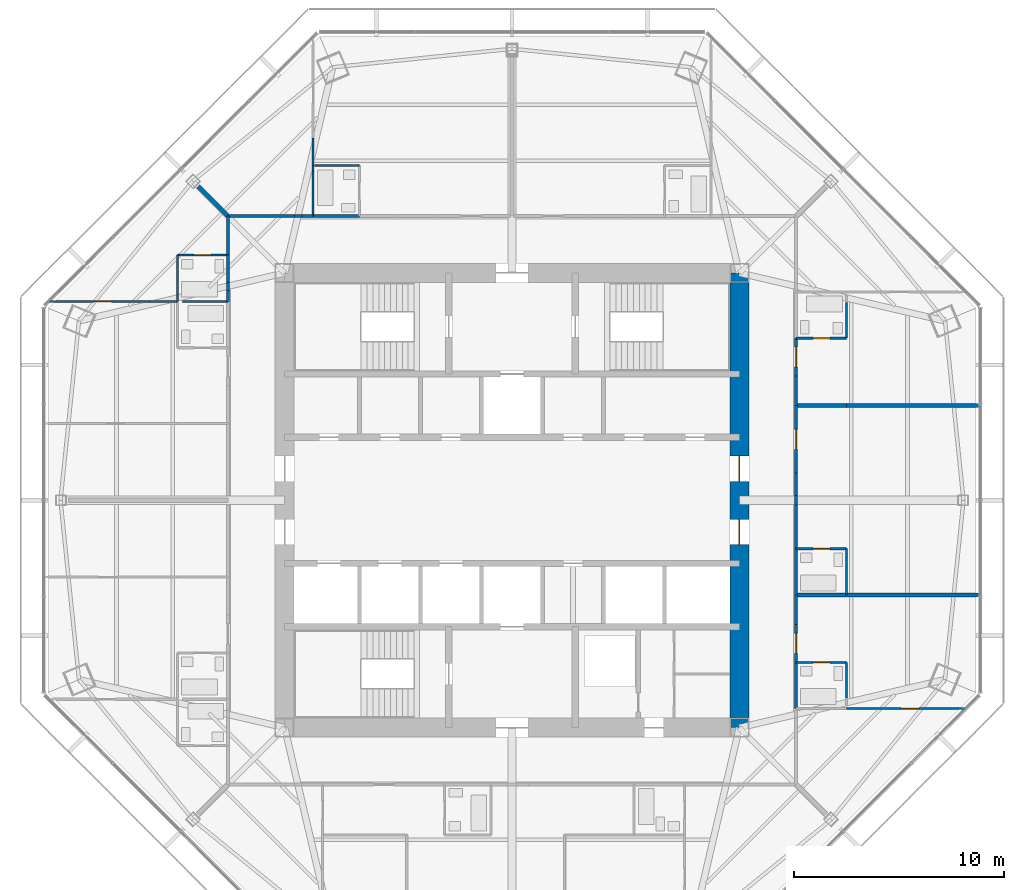
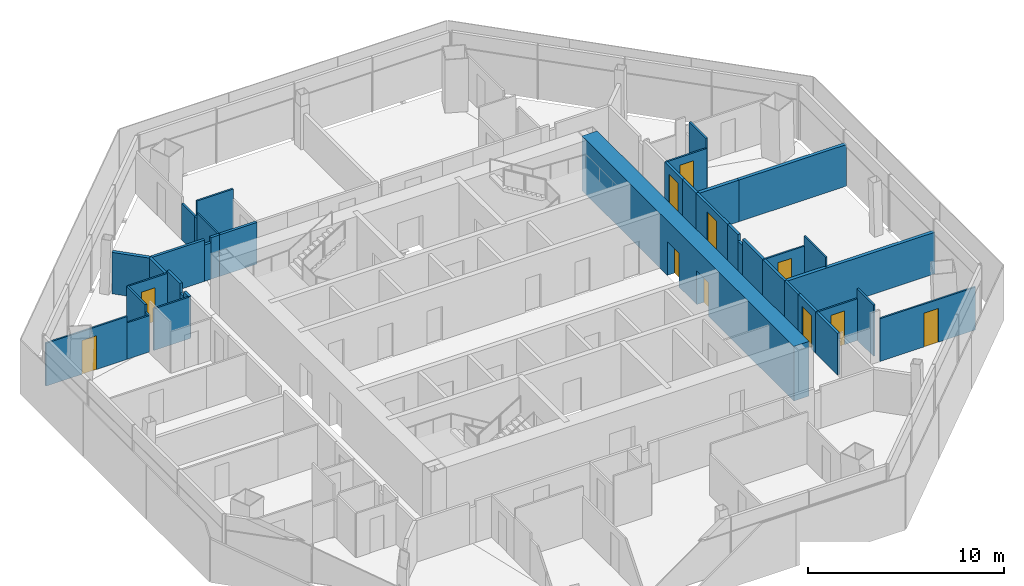
# One storey, part 11 of 15: 40 walls, 11 doors, 11 openings.
"""IFC4 building model written with IfcOpenShell, lengths in metres."""

from ifc_helpers import new_model, si_unit, direction, frame, frame_2d, origin, place, context, subcontext, project, spatial, rectangle, extrude, material, layer, layer_set, type_object, element, fill, save


model = new_model("IFC4")

# Units and contexts
model_context = context("Model", 3, precision=1e-05, world=origin(), true_north=direction((0.0, 1.0)))
body_context = subcontext(model_context, "Body", "Model", "MODEL_VIEW")
ifc_project = project(units=[si_unit("LENGTHUNIT", "METRE"), si_unit("AREAUNIT", "SQUARE_METRE"), si_unit("VOLUMEUNIT", "CUBIC_METRE"), si_unit("PLANEANGLEUNIT", "RADIAN"), si_unit("MASSUNIT", "GRAM", prefix="KILO")], contexts=[model_context])

# Site, building, storey
site_placement = place(None, origin())
site = spatial("IfcSite", under=ifc_project, at=site_placement, CompositionType="ELEMENT")
building_placement = place(site_placement, origin())
building = spatial("IfcBuilding", under=site, at=building_placement, Name="Mashrafa Tower", CompositionType="ELEMENT")
storey_placement = place(building_placement, frame((0.0, 0.0, 204.0)))
storey = spatial("IfcBuildingStorey", under=building, at=storey_placement, Name="L46", CompositionType="ELEMENT", Elevation=204.0)

# Walls
ifc_material_1 = material(Name="Gypsum board on steel studs", Category="steel")
ifc_layer_1 = layer(ifc_material_1, 0.199951171875)
ifc_layer_set_1 = layer_set([ifc_layer_1], Name="Acoustic partition 200 1 hr")
wall_type_1 = type_object("IfcWallType", Name="Acoustic partition 200 1 hr", PredefinedType="PARTITIONING", material=ifc_layer_set_1)
wall_1_placement = place(storey_placement, frame((13.5, -4.5, 0.0), z_axis=(0.0, 0.0, 1.0), x_axis=(1.0, 0.0, 0.0)))
element("IfcWall", 1, at=wall_1_placement, inside=storey, type_object=wall_type_1, Name="Acoustic wall L46-068", PredefinedType="PARTITIONING", context=body_context, shape_type="SweptSolid", body=[
    extrude(rectangle(XDim=8.725830078125, YDim=0.199951171875, at=frame_2d((4.36279296875, 0.0))), origin(), (0.0, 0.0, 1.0), 2.590576171875),
])
wall_2_placement = place(storey_placement, frame((15.90087890625, 4.5, 0.0), z_axis=(0.0, 0.0, 1.0), x_axis=(-1.0, 0.0, 0.0)))
element("IfcWall", 2, at=wall_2_placement, inside=storey, type_object=wall_type_1, Name="Acoustic wall L46-072", PredefinedType="PARTITIONING", context=body_context, shape_type="SweptSolid", body=[
    extrude(rectangle(XDim=2.40087890625, YDim=0.199951171875, at=frame_2d((1.200439453125, 0.0))), origin(), (0.0, 0.0, 1.0), 2.590576171875),
])
wall_3_placement = place(storey_placement, frame((22.225830078125, 4.5, 0.0), z_axis=(0.0, 0.0, 1.0), x_axis=(-1.0, 0.0, 0.0)))
element("IfcWall", 3, at=wall_3_placement, inside=storey, type_object=wall_type_1, Name="Acoustic wall L46-073", PredefinedType="PARTITIONING", context=body_context, shape_type="SweptSolid", body=[
    extrude(rectangle(XDim=6.326904296875, YDim=0.199951171875, at=frame_2d((3.16357421875, 0.0))), origin(), (0.0, 0.0, 1.0), 2.590576171875),
])
wall_4_placement = place(storey_placement, frame((-14.90478515625, 14.90478515625, 0.0), z_axis=(0.0, 0.0, 1.0), x_axis=(0.707106781187, -0.707106781187, 0.0)))
element("IfcWall", 4, at=wall_4_placement, inside=storey, type_object=wall_type_1, Name="Acoustic wall L46-093", PredefinedType="PARTITIONING", context=body_context, shape_type="SweptSolid", body=[
    extrude(rectangle(XDim=1.986572265625, YDim=0.199951171875, at=frame_2d((0.9931640625, 0.0))), origin(), (0.0, 0.0, 1.0), 2.577880859375),
])

# Wall, openings, doors
ifc_material_2 = material(Name="Concrete C50/60", Category="concrete")
ifc_layer_2 = layer(ifc_material_2, 0.89990234375)
ifc_layer_set_2 = layer_set([ifc_layer_2], Name="Core wall 900 C50/60")
wall_type_2 = type_object("IfcWallType", Name="Core wall 900 C50/60", PredefinedType="SOLIDWALL", material=ifc_layer_set_2)
wall_5_placement = place(storey_placement, frame((10.800048828125, -10.800048828125, 0.0), z_axis=(0.0, 0.0, 1.0), x_axis=(0.0, 1.0, 0.0)))
wall_5 = element("IfcWall", 5, at=wall_5_placement, inside=storey, type_object=wall_type_2, Name="Core wall CW-E L46", PredefinedType="SOLIDWALL", context=body_context, shape_type="SweptSolid", body=[
    extrude(rectangle(XDim=21.60009765625, YDim=0.89990234375, at=frame_2d((10.800048828125, 0.0))), origin(), (0.0, 0.0, 1.0), 3.39990234375),
])
opening_1_placement = place(wall_5_placement, frame((11.699951171875, 0.0, 0.0)))
opening_1 = element("IfcOpeningElement", 6, at=opening_1_placement, cuts=wall_5, Name="Opening 46.032", PredefinedType="OPENING", context=body_context, shape_type="SweptSolid", body=[
    extrude(rectangle(XDim=1.199951171875, YDim=2.10009765625, at=frame_2d((0.60009765625, 1.050048828125))), frame((0.0, 0.4599609375, 0.0), z_axis=(0.0, -1.0, 0.0), x_axis=(1.0, 0.0, 0.0)), (0.0, 0.0, 1.0), 0.919921875),
])
opening_2_placement = place(wall_5_placement, frame((8.699951171875, 0.0, 0.0)))
opening_2 = element("IfcOpeningElement", 7, at=opening_2_placement, cuts=wall_5, Name="Opening 46.034", PredefinedType="OPENING", context=body_context, shape_type="SweptSolid", body=[
    extrude(rectangle(XDim=1.199951171875, YDim=2.10009765625, at=frame_2d((0.60009765625, 1.050048828125))), frame((0.0, 0.4599609375, 0.0), z_axis=(0.0, -1.0, 0.0), x_axis=(1.0, 0.0, 0.0)), (0.0, 0.0, 1.0), 0.919921875),
])
ifc_material_3 = material(Name="Steel door", Category="steel")
door_type_1 = type_object("IfcDoorType", Name="Lift hall door 1200 x 2100 90 min", OperationType="USERDEFINED", PredefinedType="DOOR", material=ifc_material_3)
door_1_placement = place(opening_1_placement, frame((1.199951171875, 0.0, 0.0), z_axis=(0.0, 0.0, 1.0), x_axis=(-1.0, 0.0, 0.0)))
door_1 = element("IfcDoor", 8, at=door_1_placement, inside=storey, type_object=door_type_1, Name="Lift hall door east L46", OperationType="SINGLE_SWING_LEFT", OverallHeight=2.10009765625, OverallWidth=1.199951171875, PredefinedType="DOOR", context=body_context, shape_type="SweptSolid", body=[
    extrude(rectangle(XDim=1.199951171875, YDim=2.10009765625, at=frame_2d((0.60009765625, 1.050048828125))), frame((0.0, 0.02490234375, 0.0), z_axis=(0.0, -1.0, 0.0), x_axis=(1.0, 0.0, 0.0)), (0.0, 0.0, 1.0), 0.050048828125),
])
fill(opening_1, door_1)
door_2_placement = place(opening_2_placement, frame((1.199951171875, 0.0, 0.0), z_axis=(0.0, 0.0, 1.0), x_axis=(-1.0, 0.0, 0.0)))
door_2 = element("IfcDoor", 9, at=door_2_placement, inside=storey, type_object=door_type_1, Name="Lift hall door east L46", OperationType="SINGLE_SWING_RIGHT", OverallHeight=2.10009765625, OverallWidth=1.199951171875, PredefinedType="DOOR", context=body_context, shape_type="SweptSolid", body=[
    extrude(rectangle(XDim=1.199951171875, YDim=2.10009765625, at=frame_2d((0.60009765625, 1.050048828125))), frame((0.0, 0.02490234375, 0.0), z_axis=(0.0, -1.0, 0.0), x_axis=(1.0, 0.0, 0.0)), (0.0, 0.0, 1.0), 0.050048828125),
])
fill(opening_2, door_2)

# Walls
ifc_material_4 = material(Name="Gypsum board on steel studs", Category="steel")
ifc_layer_3 = layer(ifc_material_4, 0.14990234375)
ifc_layer_set_3 = layer_set([ifc_layer_3], Name="Corridor partition 150 1 hr")
wall_type_3 = type_object("IfcWallType", Name="Corridor partition 150 1 hr", PredefinedType="PARTITIONING", material=ifc_layer_set_3)
wall_6_placement = place(storey_placement, frame((13.5, -9.90087890625, 0.0), z_axis=(0.0, 0.0, 1.0), x_axis=(0.0, 1.0, 0.0)))
element("IfcWall", 10, at=wall_6_placement, inside=storey, type_object=wall_type_3, Name="Corridor wall L46-003", PredefinedType="PARTITIONING", context=body_context, shape_type="SweptSolid", body=[
    extrude(rectangle(XDim=2.201904296875, YDim=0.14990234375, at=frame_2d((1.10107421875, 0.0))), origin(), (0.0, 0.0, 1.0), 2.590576171875),
])
wall_7_placement = place(storey_placement, frame((13.5, -5.90087890625, 0.0), z_axis=(0.0, 0.0, 1.0), x_axis=(0.0, 1.0, 0.0)))
element("IfcWall", 11, at=wall_7_placement, inside=storey, type_object=wall_type_3, Name="Corridor wall L46-004", PredefinedType="PARTITIONING", context=body_context, shape_type="SweptSolid", body=[
    extrude(rectangle(XDim=1.40185546875, YDim=0.14990234375, at=frame_2d((0.700927734375, 0.0))), origin(), (0.0, 0.0, 1.0), 2.590576171875),
])

# Wall, opening, door
wall_8_placement = place(storey_placement, frame((13.5, -7.700927734375, 0.0), z_axis=(0.0, 0.0, 1.0), x_axis=(0.0, 1.0, 0.0)))
wall_8 = element("IfcWall", 12, at=wall_8_placement, inside=storey, type_object=wall_type_3, Name="Corridor wall L46-005", PredefinedType="PARTITIONING", context=body_context, shape_type="SweptSolid", body=[
    extrude(rectangle(XDim=1.802001953125, YDim=0.14990234375, at=frame_2d((0.90087890625, 0.0))), origin(), (0.0, 0.0, 1.0), 2.590576171875),
])
opening_3_placement = place(wall_8_placement, frame((0.426025390625, 0.0, 0.0)))
opening_3 = element("IfcOpeningElement", 13, at=opening_3_placement, cuts=wall_8, Name="Opening 46.003", PredefinedType="OPENING", context=body_context, shape_type="SweptSolid", body=[
    extrude(rectangle(XDim=0.949951171875, YDim=2.10009765625, at=frame_2d((0.47509765625, 1.050048828125))), frame((0.0, 0.0849609375, 0.0), z_axis=(0.0, -1.0, 0.0), x_axis=(1.0, 0.0, 0.0)), (0.0, 0.0, 1.0), 0.169921875),
])
ifc_material_5 = material(Name="Steel door", Category="steel")
door_type_2 = type_object("IfcDoorType", Name="Residence entrance door 950 x 2100 20 min", OperationType="USERDEFINED", PredefinedType="DOOR", material=ifc_material_5)
door_3_placement = place(opening_3_placement, frame((0.949951171875, 0.0, 0.0), z_axis=(0.0, 0.0, 1.0), x_axis=(-1.0, 0.0, 0.0)))
door_3 = element("IfcDoor", 14, at=door_3_placement, inside=storey, type_object=door_type_2, Name="Apartment 4601 Living Room door", OperationType="SINGLE_SWING_LEFT", OverallHeight=2.10009765625, OverallWidth=0.949951171875, PredefinedType="DOOR", context=body_context, shape_type="SweptSolid", body=[
    extrude(rectangle(XDim=0.949951171875, YDim=2.10009765625, at=frame_2d((0.47509765625, 1.050048828125))), frame((0.0, 0.02490234375, 0.0), z_axis=(0.0, -1.0, 0.0), x_axis=(1.0, 0.0, 0.0)), (0.0, 0.0, 1.0), 0.050048828125),
])
fill(opening_3, door_3)

# Walls
wall_9_placement = place(storey_placement, frame((13.5, -4.5009765625, 0.0), z_axis=(0.0, 0.0, 1.0), x_axis=(0.0, 1.0, 0.0)))
element("IfcWall", 15, at=wall_9_placement, inside=storey, type_object=wall_type_3, Name="Corridor wall L46-006", PredefinedType="PARTITIONING", context=body_context, shape_type="SweptSolid", body=[
    extrude(rectangle(XDim=2.201904296875, YDim=0.14990234375, at=frame_2d((1.10107421875, 0.0))), origin(), (0.0, 0.0, 1.0), 2.590576171875),
])
wall_10_placement = place(storey_placement, frame((13.5, -0.230712890625, 0.0), z_axis=(0.0, 0.0, 1.0), x_axis=(0.0, -1.0, 0.0)))
element("IfcWall", 16, at=wall_10_placement, inside=storey, type_object=wall_type_3, Name="Corridor wall L46-007", PredefinedType="PARTITIONING", context=body_context, shape_type="SweptSolid", body=[
    extrude(rectangle(XDim=2.0703125, YDim=0.14990234375, at=frame_2d((1.03515625, 0.0))), origin(), (0.0, 0.0, 1.0), 2.590576171875),
])
wall_11_placement = place(storey_placement, frame((13.5, 0.230712890625, 0.0), z_axis=(0.0, 0.0, 1.0), x_axis=(0.0, 1.0, 0.0)))
element("IfcWall", 17, at=wall_11_placement, inside=storey, type_object=wall_type_3, Name="Corridor wall L46-008", PredefinedType="PARTITIONING", context=body_context, shape_type="SweptSolid", body=[
    extrude(rectangle(XDim=1.0703125, YDim=0.14990234375, at=frame_2d((0.53515625, 0.0))), origin(), (0.0, 0.0, 1.0), 2.590576171875),
])
wall_12_placement = place(storey_placement, frame((13.5, -0.230712890625, 0.0), z_axis=(0.0, 0.0, 1.0), x_axis=(0.0, 1.0, 0.0)))
element("IfcWall", 18, at=wall_12_placement, inside=storey, type_object=wall_type_3, Name="Corridor wall L46-009", PredefinedType="PARTITIONING", context=body_context, shape_type="SweptSolid", body=[
    extrude(rectangle(XDim=0.46142578125, YDim=0.14990234375, at=frame_2d((0.230712890625, 0.0))), origin(), (0.0, 0.0, 1.0), 2.197021484375),
])

# Wall, opening, door
wall_13_placement = place(storey_placement, frame((13.5, 1.299072265625, 0.0), z_axis=(0.0, 0.0, 1.0), x_axis=(0.0, 1.0, 0.0)))
wall_13 = element("IfcWall", 19, at=wall_13_placement, inside=storey, type_object=wall_type_3, Name="Corridor wall L46-011", PredefinedType="PARTITIONING", context=body_context, shape_type="SweptSolid", body=[
    extrude(rectangle(XDim=3.201904296875, YDim=0.14990234375, at=frame_2d((1.60107421875, 0.0))), origin(), (0.0, 0.0, 1.0), 2.590576171875),
])
opening_4_placement = place(wall_13_placement, frame((1.1259765625, 0.0, 0.0)))
opening_4 = element("IfcOpeningElement", 20, at=opening_4_placement, cuts=wall_13, Name="Opening 46.005", PredefinedType="OPENING", context=body_context, shape_type="SweptSolid", body=[
    extrude(rectangle(XDim=0.949951171875, YDim=2.10009765625, at=frame_2d((0.47509765625, 1.050048828125))), frame((0.0, 0.0849609375, 0.0), z_axis=(0.0, -1.0, 0.0), x_axis=(1.0, 0.0, 0.0)), (0.0, 0.0, 1.0), 0.169921875),
])
door_4_placement = place(opening_4_placement, frame((0.949951171875, 0.0, 0.0), z_axis=(0.0, 0.0, 1.0), x_axis=(-1.0, 0.0, 0.0)))
door_4 = element("IfcDoor", 21, at=door_4_placement, inside=storey, type_object=door_type_2, Name="Apartment 4602 Studio Living Room door", OperationType="SINGLE_SWING_LEFT", OverallHeight=2.10009765625, OverallWidth=0.949951171875, PredefinedType="DOOR", context=body_context, shape_type="SweptSolid", body=[
    extrude(rectangle(XDim=0.949951171875, YDim=2.10009765625, at=frame_2d((0.47509765625, 1.050048828125))), frame((0.0, 0.02490234375, 0.0), z_axis=(0.0, -1.0, 0.0), x_axis=(1.0, 0.0, 0.0)), (0.0, 0.0, 1.0), 0.050048828125),
])
fill(opening_4, door_4)

# Wall
wall_14_placement = place(storey_placement, frame((13.5, 4.4990234375, 0.0), z_axis=(0.0, 0.0, 1.0), x_axis=(0.0, 1.0, 0.0)))
element("IfcWall", 22, at=wall_14_placement, inside=storey, type_object=wall_type_3, Name="Corridor wall L46-015", PredefinedType="PARTITIONING", context=body_context, shape_type="SweptSolid", body=[
    extrude(rectangle(XDim=1.40185546875, YDim=0.14990234375, at=frame_2d((0.700927734375, 0.0))), origin(), (0.0, 0.0, 1.0), 2.590576171875),
])

# Wall, opening, door
wall_15_placement = place(storey_placement, frame((13.5, 5.89892578125, 0.0), z_axis=(0.0, 0.0, 1.0), x_axis=(0.0, 1.0, 0.0)))
wall_15 = element("IfcWall", 23, at=wall_15_placement, inside=storey, type_object=wall_type_3, Name="Corridor wall L46-016", PredefinedType="PARTITIONING", context=body_context, shape_type="SweptSolid", body=[
    extrude(rectangle(XDim=1.802001953125, YDim=0.14990234375, at=frame_2d((0.90087890625, 0.0))), origin(), (0.0, 0.0, 1.0), 2.590576171875),
])
opening_5_placement = place(wall_15_placement, frame((0.426025390625, 0.0, 0.0)))
opening_5 = element("IfcOpeningElement", 24, at=opening_5_placement, cuts=wall_15, Name="Opening 46.008", PredefinedType="OPENING", context=body_context, shape_type="SweptSolid", body=[
    extrude(rectangle(XDim=0.949951171875, YDim=2.10009765625, at=frame_2d((0.47509765625, 1.050048828125))), frame((0.0, 0.0849609375, 0.0), z_axis=(0.0, -1.0, 0.0), x_axis=(1.0, 0.0, 0.0)), (0.0, 0.0, 1.0), 0.169921875),
])
door_5_placement = place(opening_5_placement, frame((0.949951171875, 0.0, 0.0), z_axis=(0.0, 0.0, 1.0), x_axis=(-1.0, 0.0, 0.0)))
door_5 = element("IfcDoor", 25, at=door_5_placement, inside=storey, type_object=door_type_2, Name="Apartment 4603 Living Room door", OperationType="SINGLE_SWING_RIGHT", OverallHeight=2.10009765625, OverallWidth=0.949951171875, PredefinedType="DOOR", context=body_context, shape_type="SweptSolid", body=[
    extrude(rectangle(XDim=0.949951171875, YDim=2.10009765625, at=frame_2d((0.47509765625, 1.050048828125))), frame((0.0, 0.02490234375, 0.0), z_axis=(0.0, -1.0, 0.0), x_axis=(1.0, 0.0, 0.0)), (0.0, 0.0, 1.0), 0.050048828125),
])
fill(opening_5, door_5)

# Walls
wall_16_placement = place(storey_placement, frame((-9.448974609375, 13.5, 0.0), z_axis=(0.0, 0.0, 1.0), x_axis=(-1.0, 0.0, 0.0)))
element("IfcWall", 26, at=wall_16_placement, inside=storey, type_object=wall_type_3, Name="Corridor wall L46-024", PredefinedType="PARTITIONING", context=body_context, shape_type="SweptSolid", body=[
    extrude(rectangle(XDim=0.516357421875, YDim=0.14990234375, at=frame_2d((0.25830078125, 0.0))), origin(), (0.0, 0.0, 1.0), 2.590576171875),
])
wall_17_placement = place(storey_placement, frame((-10.34033203125, 13.5, 0.0), z_axis=(0.0, 0.0, 1.0), x_axis=(-1.0, 0.0, 0.0)))
element("IfcWall", 27, at=wall_17_placement, inside=storey, type_object=wall_type_3, Name="Corridor wall L46-025", PredefinedType="PARTITIONING", context=body_context, shape_type="SweptSolid", body=[
    extrude(rectangle(XDim=3.15966796875, YDim=0.14990234375, at=frame_2d((1.579833984375, 0.0))), origin(), (0.0, 0.0, 1.0), 2.577880859375),
])
wall_18_placement = place(storey_placement, frame((-9.96533203125, 13.5, 0.0), z_axis=(0.0, 0.0, 1.0), x_axis=(-1.0, 0.0, 0.0)))
element("IfcWall", 28, at=wall_18_placement, inside=storey, type_object=wall_type_3, Name="Corridor wall L46-026", PredefinedType="PARTITIONING", context=body_context, shape_type="SweptSolid", body=[
    extrude(rectangle(XDim=0.375, YDim=0.14990234375, at=frame_2d((0.1875, 0.0))), origin(), (0.0, 0.0, 1.0), 2.26806640625),
])
wall_19_placement = place(storey_placement, frame((-7.2490234375, 13.5, 0.0), z_axis=(0.0, 0.0, 1.0), x_axis=(-1.0, 0.0, 0.0)))
element("IfcWall", 29, at=wall_19_placement, inside=storey, type_object=wall_type_3, Name="Corridor wall L46-027", PredefinedType="PARTITIONING", context=body_context, shape_type="SweptSolid", body=[
    extrude(rectangle(XDim=2.201904296875, YDim=0.14990234375, at=frame_2d((1.10107421875, 0.0))), origin(), (0.0, 0.0, 1.0), 2.590576171875),
])
wall_20_placement = place(storey_placement, frame((-13.5, 11.65087890625, 0.0), z_axis=(0.0, 0.0, 1.0), x_axis=(0.0, -1.0, 0.0)))
element("IfcWall", 30, at=wall_20_placement, inside=storey, type_object=wall_type_3, Name="Corridor wall L46-031", PredefinedType="PARTITIONING", context=body_context, shape_type="SweptSolid", body=[
    extrude(rectangle(XDim=1.310546875, YDim=0.14990234375, at=frame_2d((0.6552734375, 0.0))), origin(), (0.0, 0.0, 1.0), 2.880126953125),
])
wall_21_placement = place(storey_placement, frame((-13.5, 9.96533203125, 0.0), z_axis=(0.0, 0.0, 1.0), x_axis=(0.0, -1.0, 0.0)))
element("IfcWall", 31, at=wall_21_placement, inside=storey, type_object=wall_type_3, Name="Corridor wall L46-032", PredefinedType="PARTITIONING", context=body_context, shape_type="SweptSolid", body=[
    extrude(rectangle(XDim=0.516357421875, YDim=0.14990234375, at=frame_2d((0.25830078125, 0.0))), origin(), (0.0, 0.0, 1.0), 2.590576171875),
])
wall_22_placement = place(storey_placement, frame((-13.5, 10.34033203125, 0.0), z_axis=(0.0, 0.0, 1.0), x_axis=(0.0, -1.0, 0.0)))
element("IfcWall", 32, at=wall_22_placement, inside=storey, type_object=wall_type_3, Name="Corridor wall L46-033", PredefinedType="PARTITIONING", context=body_context, shape_type="SweptSolid", body=[
    extrude(rectangle(XDim=0.375, YDim=0.14990234375, at=frame_2d((0.1875, 0.0))), origin(), (0.0, 0.0, 1.0), 2.26806640625),
])
wall_23_placement = place(storey_placement, frame((-13.5, 13.5, 0.0), z_axis=(0.0, 0.0, 1.0), x_axis=(0.0, -1.0, 0.0)))
element("IfcWall", 33, at=wall_23_placement, inside=storey, type_object=wall_type_3, Name="Corridor wall L46-034", PredefinedType="PARTITIONING", context=body_context, shape_type="SweptSolid", body=[
    extrude(rectangle(XDim=1.85107421875, YDim=0.14990234375, at=frame_2d((0.925537109375, 0.0))), origin(), (0.0, 0.0, 1.0), 2.577880859375),
])

# Wall, opening, door
ifc_material_6 = material(Name="Gypsum board on steel studs", Category="steel")
ifc_layer_4 = layer(ifc_material_6, 0.10009765625)
ifc_layer_set_4 = layer_set([ifc_layer_4], Name="Partition 100")
wall_type_4 = type_object("IfcWallType", Name="Partition 100", PredefinedType="PARTITIONING", material=ifc_layer_set_4)
wall_24_placement = place(storey_placement, frame((21.535888671875, -9.89990234375, 0.0), z_axis=(0.0, 0.0, 1.0), x_axis=(-1.0, 0.0, 0.0)))
wall_24 = element("IfcWall", 34, at=wall_24_placement, inside=storey, type_object=wall_type_4, Name="Partition wall L46-063", PredefinedType="PARTITIONING", context=body_context, shape_type="SweptSolid", body=[
    extrude(rectangle(XDim=5.636962890625, YDim=0.10009765625, at=frame_2d((2.818359375, 0.0))), origin(), (0.0, 0.0, 1.0), 2.664306640625),
])
opening_6_placement = place(wall_24_placement, frame((2.196533203125, 0.0, 0.0)))
opening_6 = element("IfcOpeningElement", 35, at=opening_6_placement, cuts=wall_24, Name="Opening 46.001", PredefinedType="OPENING", context=body_context, shape_type="SweptSolid", body=[
    extrude(rectangle(XDim=0.85009765625, YDim=2.10009765625, at=frame_2d((0.425048828125, 1.050048828125))), frame((0.0, 0.06005859375, 0.0), z_axis=(0.0, -1.0, 0.0), x_axis=(1.0, 0.0, 0.0)), (0.0, 0.0, 1.0), 0.1201171875),
])
ifc_material_7 = material(Name="Timber door", Category="wood")
door_type_3 = type_object("IfcDoorType", Name="Bedroom door 850 x 2100", OperationType="USERDEFINED", PredefinedType="DOOR", material=ifc_material_7)
door_6_placement = place(opening_6_placement, origin())
door_6 = element("IfcDoor", 36, at=door_6_placement, inside=storey, type_object=door_type_3, Name="Apartment 4601 Bedroom 1 door", OperationType="SINGLE_SWING_LEFT", OverallHeight=2.10009765625, OverallWidth=0.85009765625, PredefinedType="DOOR", context=body_context, shape_type="SweptSolid", body=[
    extrude(rectangle(XDim=0.85009765625, YDim=2.10009765625, at=frame_2d((0.425048828125, 1.050048828125))), frame((0.0, 0.02490234375, 0.0), z_axis=(0.0, -1.0, 0.0), x_axis=(1.0, 0.0, 0.0)), (0.0, 0.0, 1.0), 0.050048828125),
])
fill(opening_6, door_6)

# Wall
wall_25_placement = place(storey_placement, frame((15.89990234375, -9.39013671875, 0.0), z_axis=(0.0, 0.0, 1.0), x_axis=(0.0, 1.0, 0.0)))
element("IfcWall", 37, at=wall_25_placement, inside=storey, type_object=wall_type_4, Name="Partition wall L46-065", PredefinedType="PARTITIONING", context=body_context, shape_type="SweptSolid", body=[
    extrude(rectangle(XDim=1.690185546875, YDim=0.10009765625, at=frame_2d((0.84521484375, 0.0))), origin(), (0.0, 0.0, 1.0), 3.199951171875),
])

# Wall, opening, door
wall_26_placement = place(storey_placement, frame((15.89990234375, -7.699951171875, 0.0), z_axis=(0.0, 0.0, 1.0), x_axis=(-1.0, 0.0, 0.0)))
wall_26 = element("IfcWall", 38, at=wall_26_placement, inside=storey, type_object=wall_type_4, Name="Partition wall L46-067", PredefinedType="PARTITIONING", context=body_context, shape_type="SweptSolid", body=[
    extrude(rectangle(XDim=2.39990234375, YDim=0.10009765625, at=frame_2d((1.199951171875, 0.0))), origin(), (0.0, 0.0, 1.0), 2.590576171875),
])
opening_7_placement = place(wall_26_placement, frame((0.800048828125, 0.0, 0.0)))
opening_7 = element("IfcOpeningElement", 39, at=opening_7_placement, cuts=wall_26, Name="Opening 46.002", PredefinedType="OPENING", context=body_context, shape_type="SweptSolid", body=[
    extrude(rectangle(XDim=0.800048828125, YDim=2.10009765625, at=frame_2d((0.39990234375, 1.050048828125))), frame((0.0, 0.06005859375, 0.0), z_axis=(0.0, -1.0, 0.0), x_axis=(1.0, 0.0, 0.0)), (0.0, 0.0, 1.0), 0.1201171875),
])
ifc_material_8 = material(Name="Timber door", Category="wood")
door_type_4 = type_object("IfcDoorType", Name="Bathroom door 800 x 2100", OperationType="USERDEFINED", PredefinedType="DOOR", material=ifc_material_8)
door_7_placement = place(opening_7_placement, origin())
door_7 = element("IfcDoor", 40, at=door_7_placement, inside=storey, type_object=door_type_4, Name="Apartment 4601 Bathroom door", OperationType="SINGLE_SWING_LEFT", OverallHeight=2.10009765625, OverallWidth=0.800048828125, PredefinedType="DOOR", context=body_context, shape_type="SweptSolid", body=[
    extrude(rectangle(XDim=0.800048828125, YDim=2.10009765625, at=frame_2d((0.39990234375, 1.050048828125))), frame((0.0, 0.02490234375, 0.0), z_axis=(0.0, -1.0, 0.0), x_axis=(1.0, 0.0, 0.0)), (0.0, 0.0, 1.0), 0.050048828125),
])
fill(opening_7, door_7)

# Wall
wall_27_placement = place(storey_placement, frame((15.89990234375, -4.5, 0.0), z_axis=(0.0, 0.0, 1.0), x_axis=(0.0, 1.0, 0.0)))
element("IfcWall", 41, at=wall_27_placement, inside=storey, type_object=wall_type_4, Name="Partition wall L46-070", PredefinedType="PARTITIONING", context=body_context, shape_type="SweptSolid", body=[
    extrude(rectangle(XDim=2.199951171875, YDim=0.10009765625, at=frame_2d((1.10009765625, 0.0))), origin(), (0.0, 0.0, 1.0), 3.199951171875),
])

# Wall, opening, door
wall_28_placement = place(storey_placement, frame((15.89990234375, -2.300048828125, 0.0), z_axis=(0.0, 0.0, 1.0), x_axis=(-1.0, 0.0, 0.0)))
wall_28 = element("IfcWall", 42, at=wall_28_placement, inside=storey, type_object=wall_type_4, Name="Partition wall L46-071", PredefinedType="PARTITIONING", context=body_context, shape_type="SweptSolid", body=[
    extrude(rectangle(XDim=2.39990234375, YDim=0.10009765625, at=frame_2d((1.199951171875, 0.0))), origin(), (0.0, 0.0, 1.0), 2.590576171875),
])
opening_8_placement = place(wall_28_placement, frame((0.800048828125, 0.0, 0.0)))
opening_8 = element("IfcOpeningElement", 43, at=opening_8_placement, cuts=wall_28, Name="Opening 46.004", PredefinedType="OPENING", context=body_context, shape_type="SweptSolid", body=[
    extrude(rectangle(XDim=0.800048828125, YDim=2.10009765625, at=frame_2d((0.39990234375, 1.050048828125))), frame((0.0, 0.06005859375, 0.0), z_axis=(0.0, -1.0, 0.0), x_axis=(1.0, 0.0, 0.0)), (0.0, 0.0, 1.0), 0.1201171875),
])
door_8_placement = place(opening_8_placement, origin())
door_8 = element("IfcDoor", 44, at=door_8_placement, inside=storey, type_object=door_type_4, Name="Apartment 4602 Bathroom door", OperationType="SINGLE_SWING_LEFT", OverallHeight=2.10009765625, OverallWidth=0.800048828125, PredefinedType="DOOR", context=body_context, shape_type="SweptSolid", body=[
    extrude(rectangle(XDim=0.800048828125, YDim=2.10009765625, at=frame_2d((0.39990234375, 1.050048828125))), frame((0.0, 0.02490234375, 0.0), z_axis=(0.0, -1.0, 0.0), x_axis=(1.0, 0.0, 0.0)), (0.0, 0.0, 1.0), 0.050048828125),
])
fill(opening_8, door_8)

wall_29_placement = place(storey_placement, frame((13.5, 7.699951171875, 0.0), z_axis=(0.0, 0.0, 1.0), x_axis=(1.0, 0.0, 0.0)))
wall_29 = element("IfcWall", 45, at=wall_29_placement, inside=storey, type_object=wall_type_4, Name="Partition wall L46-079", PredefinedType="PARTITIONING", context=body_context, shape_type="SweptSolid", body=[
    extrude(rectangle(XDim=2.39990234375, YDim=0.10009765625, at=frame_2d((1.199951171875, 0.0))), origin(), (0.0, 0.0, 1.0), 2.590576171875),
])
opening_9_placement = place(wall_29_placement, frame((0.800048828125, 0.0, 0.0)))
opening_9 = element("IfcOpeningElement", 46, at=opening_9_placement, cuts=wall_29, Name="Opening 46.007", PredefinedType="OPENING", context=body_context, shape_type="SweptSolid", body=[
    extrude(rectangle(XDim=0.800048828125, YDim=2.10009765625, at=frame_2d((0.39990234375, 1.050048828125))), frame((0.0, 0.06005859375, 0.0), z_axis=(0.0, -1.0, 0.0), x_axis=(1.0, 0.0, 0.0)), (0.0, 0.0, 1.0), 0.1201171875),
])
door_9_placement = place(opening_9_placement, origin())
door_9 = element("IfcDoor", 47, at=door_9_placement, inside=storey, type_object=door_type_4, Name="Apartment 4603 Bathroom door", OperationType="SINGLE_SWING_RIGHT", OverallHeight=2.10009765625, OverallWidth=0.800048828125, PredefinedType="DOOR", context=body_context, shape_type="SweptSolid", body=[
    extrude(rectangle(XDim=0.800048828125, YDim=2.10009765625, at=frame_2d((0.39990234375, 1.050048828125))), frame((0.0, 0.02490234375, 0.0), z_axis=(0.0, -1.0, 0.0), x_axis=(1.0, 0.0, 0.0)), (0.0, 0.0, 1.0), 0.050048828125),
])
fill(opening_9, door_9)

# Walls
wall_30_placement = place(storey_placement, frame((15.89990234375, 7.699951171875, 0.0), z_axis=(0.0, 0.0, 1.0), x_axis=(0.0, 1.0, 0.0)))
element("IfcWall", 48, at=wall_30_placement, inside=storey, type_object=wall_type_4, Name="Partition wall L46-080", PredefinedType="PARTITIONING", context=body_context, shape_type="SweptSolid", body=[
    extrude(rectangle(XDim=1.690185546875, YDim=0.10009765625, at=frame_2d((0.84521484375, 0.0))), origin(), (0.0, 0.0, 1.0), 3.199951171875),
])
wall_31_placement = place(storey_placement, frame((-9.449951171875, 13.5, 0.0), z_axis=(0.0, 0.0, 1.0), x_axis=(0.0, 1.0, 0.0)))
element("IfcWall", 49, at=wall_31_placement, inside=storey, type_object=wall_type_4, Name="Partition wall L46-089", PredefinedType="PARTITIONING", context=body_context, shape_type="SweptSolid", body=[
    extrude(rectangle(XDim=2.14990234375, YDim=0.10009765625, at=frame_2d((1.074951171875, 0.0))), origin(), (0.0, 0.0, 1.0), 2.590576171875),
])
wall_32_placement = place(storey_placement, frame((-9.449951171875, 15.64990234375, 0.0), z_axis=(0.0, 0.0, 1.0), x_axis=(0.0, 1.0, 0.0)))
element("IfcWall", 50, at=wall_32_placement, inside=storey, type_object=wall_type_4, Name="Partition wall L46-090", PredefinedType="PARTITIONING", context=body_context, shape_type="SweptSolid", body=[
    extrude(rectangle(XDim=0.2509765625, YDim=0.10009765625, at=frame_2d((0.12548828125, 0.0))), origin(), (0.0, 0.0, 1.0), 2.26806640625),
])
wall_33_placement = place(storey_placement, frame((-9.449951171875, 15.89892578125, 0.0), z_axis=(0.0, 0.0, 1.0), x_axis=(0.0, 1.0, 0.0)))
element("IfcWall", 51, at=wall_33_placement, inside=storey, type_object=wall_type_4, Name="Partition wall L46-092", PredefinedType="PARTITIONING", context=body_context, shape_type="SweptSolid", body=[
    extrude(rectangle(XDim=1.316162109375, YDim=0.10009765625, at=frame_2d((0.658203125, 0.0))), origin(), (0.0, 0.0, 1.0), 2.26806640625),
])
wall_34_placement = place(storey_placement, frame((-7.25, 15.89990234375, 0.0), z_axis=(0.0, 0.0, 1.0), x_axis=(-1.0, 0.0, 0.0)))
element("IfcWall", 52, at=wall_34_placement, inside=storey, type_object=wall_type_4, Name="Partition wall L46-095", PredefinedType="PARTITIONING", context=body_context, shape_type="SweptSolid", body=[
    extrude(rectangle(XDim=2.14013671875, YDim=0.10009765625, at=frame_2d((1.070068359375, 0.0))), origin(), (0.0, 0.0, 1.0), 3.199951171875),
])

# Wall, opening, door
wall_35_placement = place(storey_placement, frame((-13.5, 11.64990234375, 0.0), z_axis=(0.0, 0.0, 1.0), x_axis=(-1.0, 0.0, 0.0)))
wall_35 = element("IfcWall", 53, at=wall_35_placement, inside=storey, type_object=wall_type_4, Name="Partition wall L46-096", PredefinedType="PARTITIONING", context=body_context, shape_type="SweptSolid", body=[
    extrude(rectangle(XDim=2.39990234375, YDim=0.10009765625, at=frame_2d((1.199951171875, 0.0))), origin(), (0.0, 0.0, 1.0), 2.740478515625),
])
opening_10_placement = place(wall_35_placement, frame((0.800048828125, 0.0, 0.0)))
opening_10 = element("IfcOpeningElement", 54, at=opening_10_placement, cuts=wall_35, Name="Opening 46.015", PredefinedType="OPENING", context=body_context, shape_type="SweptSolid", body=[
    extrude(rectangle(XDim=0.800048828125, YDim=2.10009765625, at=frame_2d((0.39990234375, 1.050048828125))), frame((0.0, 0.06005859375, 0.0), z_axis=(0.0, -1.0, 0.0), x_axis=(1.0, 0.0, 0.0)), (0.0, 0.0, 1.0), 0.1201171875),
])
door_10_placement = place(opening_10_placement, origin())
door_10 = element("IfcDoor", 55, at=door_10_placement, inside=storey, type_object=door_type_4, Name="Apartment 4606 En-suite Bathroom door", OperationType="SINGLE_SWING_RIGHT", OverallHeight=2.10009765625, OverallWidth=0.800048828125, PredefinedType="DOOR", context=body_context, shape_type="SweptSolid", body=[
    extrude(rectangle(XDim=0.800048828125, YDim=2.10009765625, at=frame_2d((0.39990234375, 1.050048828125))), frame((0.0, 0.02490234375, 0.0), z_axis=(0.0, -1.0, 0.0), x_axis=(1.0, 0.0, 0.0)), (0.0, 0.0, 1.0), 0.050048828125),
])
fill(opening_10, door_10)

# Walls
wall_36_placement = place(storey_placement, frame((-15.89990234375, 11.64990234375, 0.0), z_axis=(0.0, 0.0, 1.0), x_axis=(0.0, -1.0, 0.0)))
element("IfcWall", 56, at=wall_36_placement, inside=storey, type_object=wall_type_4, Name="Partition wall L46-097", PredefinedType="PARTITIONING", context=body_context, shape_type="SweptSolid", body=[
    extrude(rectangle(XDim=1.884765625, YDim=0.10009765625, at=frame_2d((0.9423828125, 0.0))), origin(), (0.0, 0.0, 1.0), 2.740478515625),
])
wall_37_placement = place(storey_placement, frame((-15.89990234375, 9.76513671875, 0.0), z_axis=(0.0, 0.0, 1.0), x_axis=(0.0, -1.0, 0.0)))
element("IfcWall", 57, at=wall_37_placement, inside=storey, type_object=wall_type_4, Name="Partition wall L46-098", PredefinedType="PARTITIONING", context=body_context, shape_type="SweptSolid", body=[
    extrude(rectangle(XDim=0.315185546875, YDim=0.10009765625, at=frame_2d((0.15771484375, 0.0))), origin(), (0.0, 0.0, 1.0), 2.26806640625),
])
wall_38_placement = place(storey_placement, frame((-15.64990234375, 9.449951171875, 0.0), z_axis=(0.0, 0.0, 1.0), x_axis=(1.0, 0.0, 0.0)))
element("IfcWall", 58, at=wall_38_placement, inside=storey, type_object=wall_type_4, Name="Partition wall L46-099", PredefinedType="PARTITIONING", context=body_context, shape_type="SweptSolid", body=[
    extrude(rectangle(XDim=2.14990234375, YDim=0.10009765625, at=frame_2d((1.074951171875, 0.0))), origin(), (0.0, 0.0, 1.0), 2.590576171875),
])

# Wall, opening, door
wall_39_placement = place(storey_placement, frame((-21.98583984375, 9.449951171875, 0.0), z_axis=(0.0, 0.0, 1.0), x_axis=(1.0, 0.0, 0.0)))
wall_39 = element("IfcWall", 59, at=wall_39_placement, inside=storey, type_object=wall_type_4, Name="Partition wall L46-100", PredefinedType="PARTITIONING", context=body_context, shape_type="SweptSolid", body=[
    extrude(rectangle(XDim=4.770751953125, YDim=0.10009765625, at=frame_2d((2.38525390625, 0.0))), origin(), (0.0, 0.0, 1.0), 2.664306640625),
])
opening_11_placement = place(wall_39_placement, frame((2.114013671875, 0.0, 0.0)))
opening_11 = element("IfcOpeningElement", 60, at=opening_11_placement, cuts=wall_39, Name="Opening 46.016", PredefinedType="OPENING", context=body_context, shape_type="SweptSolid", body=[
    extrude(rectangle(XDim=0.85009765625, YDim=2.10009765625, at=frame_2d((0.425048828125, 1.050048828125))), frame((0.0, 0.06005859375, 0.0), z_axis=(0.0, -1.0, 0.0), x_axis=(1.0, 0.0, 0.0)), (0.0, 0.0, 1.0), 0.1201171875),
])
door_11_placement = place(opening_11_placement, origin())
door_11 = element("IfcDoor", 61, at=door_11_placement, inside=storey, type_object=door_type_3, Name="Apartment 4606 Bedroom 1 door", OperationType="SINGLE_SWING_LEFT", OverallHeight=2.10009765625, OverallWidth=0.85009765625, PredefinedType="DOOR", context=body_context, shape_type="SweptSolid", body=[
    extrude(rectangle(XDim=0.85009765625, YDim=2.10009765625, at=frame_2d((0.425048828125, 1.050048828125))), frame((0.0, 0.02490234375, 0.0), z_axis=(0.0, -1.0, 0.0), x_axis=(1.0, 0.0, 0.0)), (0.0, 0.0, 1.0), 0.050048828125),
])
fill(opening_11, door_11)

# Wall
wall_40_placement = place(storey_placement, frame((-17.215087890625, 9.449951171875, 0.0), z_axis=(0.0, 0.0, 1.0), x_axis=(1.0, 0.0, 0.0)))
element("IfcWall", 62, at=wall_40_placement, inside=storey, type_object=wall_type_4, Name="Partition wall L46-101", PredefinedType="PARTITIONING", context=body_context, shape_type="SweptSolid", body=[
    extrude(rectangle(XDim=1.315185546875, YDim=0.10009765625, at=frame_2d((0.65771484375, 0.0))), origin(), (0.0, 0.0, 1.0), 2.26806640625),
])

save(model, "model.ifc")
